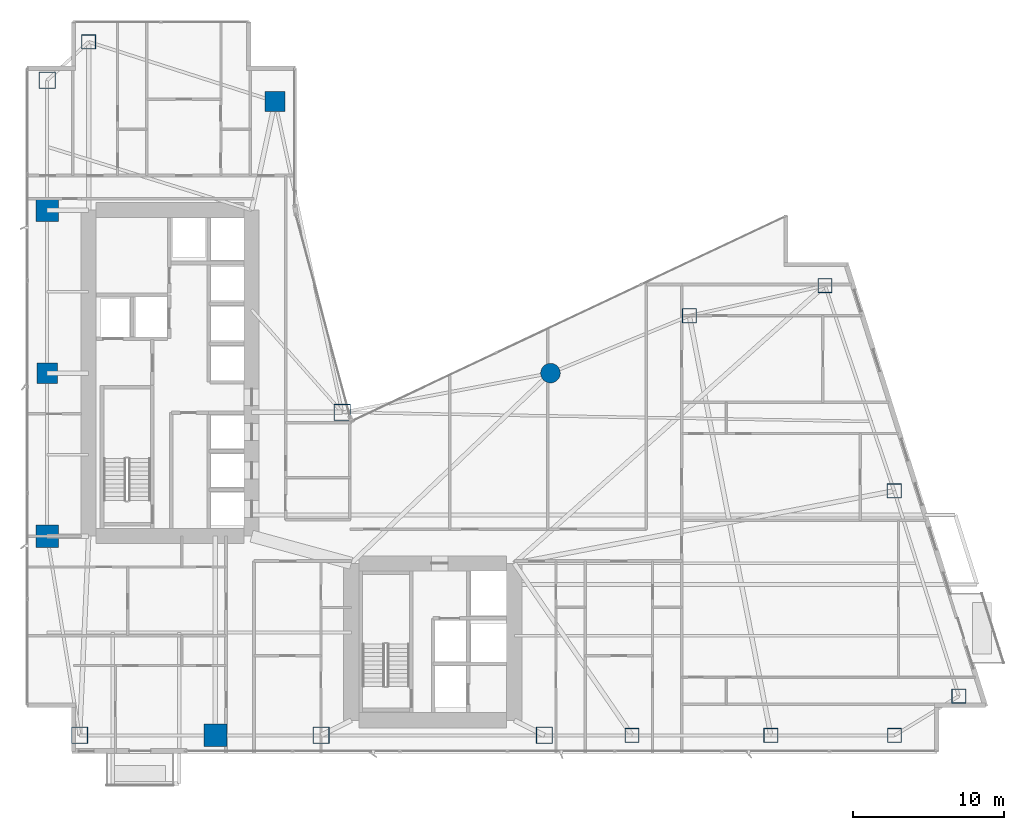
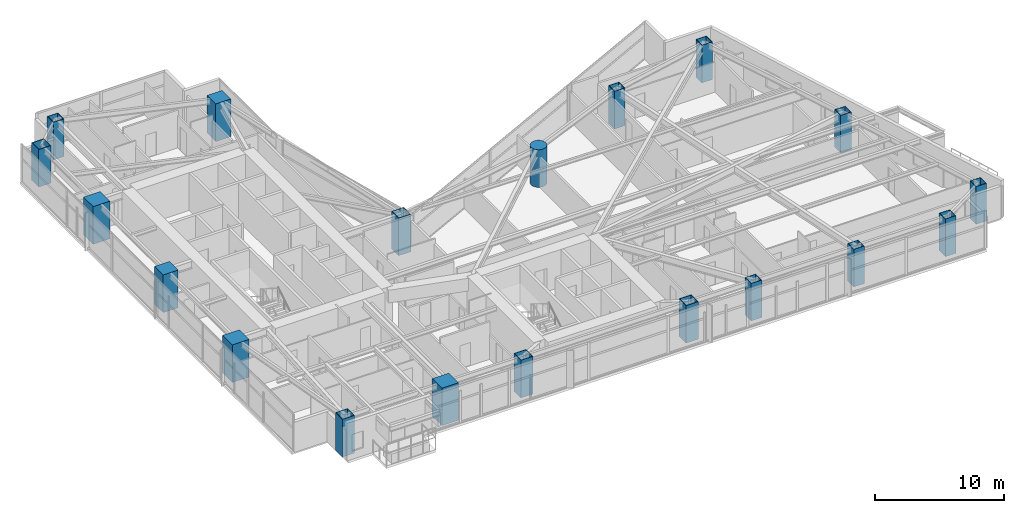
# One storey, part 1 of 30: 19 columns.
"""IFC4 building model written with IfcOpenShell, lengths in metres."""

from ifc_helpers import new_model, si_unit, direction, frame, origin, origin_2d, place, context, subcontext, project, spatial, rectangle, hollow_rectangle, circle, extrude, material, material_profile, profile_set, type_object, element, save


model = new_model("IFC4")

# Units and contexts
model_context = context("Model", 3, precision=1e-05, world=origin(), true_north=direction((0.0, 1.0)))
body_context = subcontext(model_context, "Body", "Model", "MODEL_VIEW")
ifc_project = project(units=[si_unit("LENGTHUNIT", "METRE"), si_unit("AREAUNIT", "SQUARE_METRE"), si_unit("VOLUMEUNIT", "CUBIC_METRE"), si_unit("PLANEANGLEUNIT", "RADIAN"), si_unit("MASSUNIT", "GRAM", prefix="KILO")], contexts=[model_context])

# Site, building, storey
site_placement = place(None, origin())
site = spatial("IfcSite", under=ifc_project, at=site_placement, CompositionType="ELEMENT")
building_placement = place(site_placement, origin())
building = spatial("IfcBuilding", under=site, at=building_placement, Name="Calvorn Quay Hotel", CompositionType="ELEMENT")
storey_placement = place(building_placement, frame((0.0, 0.0, 77.39990234375)))
storey = spatial("IfcBuildingStorey", under=building, at=storey_placement, Name="L18", CompositionType="ELEMENT", Elevation=77.39990234375)

# Columns
ifc_material_1 = material(Name="Concrete C60", Category="concrete")
ifc_material_profile_1 = material_profile(ifc_material_1, rectangle(XDim=1.35009765625, YDim=1.35009765625, at=origin_2d()), Name="RC1350x1350")
ifc_profile_set_1 = profile_set([ifc_material_profile_1], Name="Concrete C60")
column_type_1 = type_object("IfcColumnType", Name="COL-RC-1350", PredefinedType="COLUMN", material=ifc_profile_set_1)
for number, where, z_axis, x_axis, name in (
    (1, (1.449951171875, 27.60009765625, 0.0), (0.0, 0.0, 1.0), (1.0, 0.0, 0.0), "Column C-W3 (L18)"),
    (2, (16.550048828125, 45.60009765625, 0.0), (0.0, 0.0, 1.0), (1.0, 0.0, 0.0), "Column C-IC1 (L18)"),
):
    element("IfcColumn", number, at=place(storey_placement, frame(where, z_axis=z_axis, x_axis=x_axis)), inside=storey, type_object=column_type_1, Name=name, PredefinedType="COLUMN", context=body_context, shape_type="SweptSolid", body=[
        extrude(rectangle(XDim=1.35009765625, YDim=1.35009765625, at=origin_2d()), origin(), (0.0, 0.0, 1.0), 3.56005859375),
    ])
ifc_material_2 = material(Name="Concrete C60", Category="concrete")
ifc_material_profile_2 = material_profile(ifc_material_2, rectangle(XDim=1.5, YDim=1.5, at=origin_2d()), Name="RC1500x1500")
ifc_profile_set_2 = profile_set([ifc_material_profile_2], Name="Concrete C60")
column_type_2 = type_object("IfcColumnType", Name="COL-RC-1500", PredefinedType="COLUMN", material=ifc_profile_set_2)
for number, where, z_axis, x_axis, name in (
    (3, (1.449951171875, 16.800048828125, 0.0), (0.0, 0.0, 1.0), (1.0, 0.0, 0.0), "Column C-W2 (L18)"),
    (4, (1.449951171875, 38.39990234375, 0.0), (0.0, 0.0, 1.0), (1.0, 0.0, 0.0), "Column C-W4 (L18)"),
    (5, (12.60009765625, 3.60009765625, 0.0), (0.0, 0.0, 1.0), (1.0, 0.0, 0.0), "Column C-S1 (L18)"),
):
    element("IfcColumn", number, at=place(storey_placement, frame(where, z_axis=z_axis, x_axis=x_axis)), inside=storey, type_object=column_type_2, Name=name, PredefinedType="COLUMN", context=body_context, shape_type="SweptSolid", body=[
        extrude(rectangle(XDim=1.5, YDim=1.5, at=origin_2d()), origin(), (0.0, 0.0, 1.0), 3.56005859375),
    ])
ifc_material_3 = material(Name="Concrete C60", Category="concrete")
ifc_material_profile_3 = material_profile(ifc_material_3, circle(Radius=0.64990234375, at=origin_2d()), Name="RCD1300")
ifc_profile_set_3 = profile_set([ifc_material_profile_3], Name="Concrete C60")
column_type_3 = type_object("IfcColumnType", Name="COL-RC-D1300", PredefinedType="COLUMN", material=ifc_profile_set_3)
column_placement = place(storey_placement, frame((34.800048828125, 27.60009765625, 0.0), z_axis=(0.0, 0.0, 1.0), x_axis=(1.0, 0.0, 0.0)))
element("IfcColumn", 6, at=column_placement, inside=storey, type_object=column_type_3, Name="Column C-NC1 (L18)", PredefinedType="COLUMN", context=body_context, shape_type="SweptSolid", body=[
    extrude(circle(Radius=0.64990234375, at=origin_2d()), origin(), (0.0, 0.0, 1.0), 3.56005859375),
])
ifc_material_4 = material(Name="Steel Q420GJC", Category="steel")
ifc_material_profile_4 = material_profile(ifc_material_4, hollow_rectangle(XDim=1.10009765625, YDim=1.10009765625, WallThickness=0.044921875, at=origin_2d()), Name="BOX1100x1100x45")
ifc_profile_set_4 = profile_set([ifc_material_profile_4], Name="Steel Q420GJC")
column_type_4 = type_object("IfcColumnType", Name="COL-STL-MEGA1", PredefinedType="COLUMN", material=ifc_profile_set_4)
for number, where, z_axis, x_axis, name in (
    (7, (3.60009765625, 3.60009765625, 0.0), (0.0, 0.0, 1.0), (1.0, 0.0, 0.0), "Column C-W1 (L18)"),
    (8, (1.449951171875, 47.0, 0.0), (0.0, 0.0, 1.0), (1.0, 0.0, 0.0), "Column C-W5 (L18)"),
    (9, (21.0, 25.0, 0.0), (0.0, 0.0, 1.0), (1.0, 0.0, 0.0), "Column C-IC2 (L18)"),
    (10, (19.60009765625, 3.60009765625, 0.0), (0.0, 0.0, 1.0), (1.0, 0.0, 0.0), "Column C-S2 (L18)"),
    (11, (34.39990234375, 3.60009765625, 0.0), (0.0, 0.0, 1.0), (1.0, 0.0, 0.0), "Column C-S3 (L18)"),
):
    element("IfcColumn", number, at=place(storey_placement, frame(where, z_axis=z_axis, x_axis=x_axis)), inside=storey, type_object=column_type_4, Name=name, PredefinedType="COLUMN", context=body_context, shape_type="SweptSolid", body=[
        extrude(hollow_rectangle(XDim=1.10009765625, YDim=1.10009765625, WallThickness=0.044921875, at=origin_2d()), origin(), (0.0, 0.0, 1.0), 3.56005859375),
    ])
ifc_material_5 = material(Name="Steel Q420GJC", Category="steel")
ifc_material_profile_5 = material_profile(ifc_material_5, hollow_rectangle(XDim=0.949951171875, YDim=0.949951171875, WallThickness=0.0400390625, at=origin_2d()), Name="BOX950x950x40")
ifc_profile_set_5 = profile_set([ifc_material_profile_5], Name="Steel Q420GJC")
column_type_5 = type_object("IfcColumnType", Name="COL-STL-MEGA2", PredefinedType="COLUMN", material=ifc_profile_set_5)
for number, where, z_axis, x_axis, name in (
    (12, (4.199951171875, 49.550048828125, 0.0), (0.0, 0.0, 1.0), (1.0, 0.0, 0.0), "Column C-NW1 (L18)"),
    (13, (40.199951171875, 3.60009765625, 0.0), (0.0, 0.0, 1.0), (1.0, 0.0, 0.0), "Column C-S4 (L18)"),
    (14, (49.39990234375, 3.60009765625, 0.0), (0.0, 0.0, 1.0), (1.0, 0.0, 0.0), "Column C-S5 (L18)"),
    (15, (57.60009765625, 3.60009765625, 0.0), (0.0, 0.0, 1.0), (1.0, 0.0, 0.0), "Column C-S6 (L18)"),
    (16, (44.0, 31.39990234375, 0.0), (0.0, 0.0, 1.0), (1.0, 0.0, 0.0), "Column C-NC2 (L18)"),
    (17, (61.861083984375, 6.199951171875, 0.0), (0.0, 0.0, 1.0), (1.0, 0.0, 0.0), "Column C-ET1 (L18)"),
    (18, (57.575927734375, 19.800048828125, 0.0), (0.0, 0.0, 1.0), (1.0, 0.0, 0.0), "Column C-ET2 (L18)"),
    (19, (52.990966796875, 33.39990234375, 0.0), (0.0, 0.0, 1.0), (1.0, 0.0, 0.0), "Column C-ET3 (L18)"),
):
    element("IfcColumn", number, at=place(storey_placement, frame(where, z_axis=z_axis, x_axis=x_axis)), inside=storey, type_object=column_type_5, Name=name, PredefinedType="COLUMN", context=body_context, shape_type="SweptSolid", body=[
        extrude(hollow_rectangle(XDim=0.949951171875, YDim=0.949951171875, WallThickness=0.0400390625, at=origin_2d()), origin(), (0.0, 0.0, 1.0), 3.56005859375),
    ])

save(model, "model.ifc")
